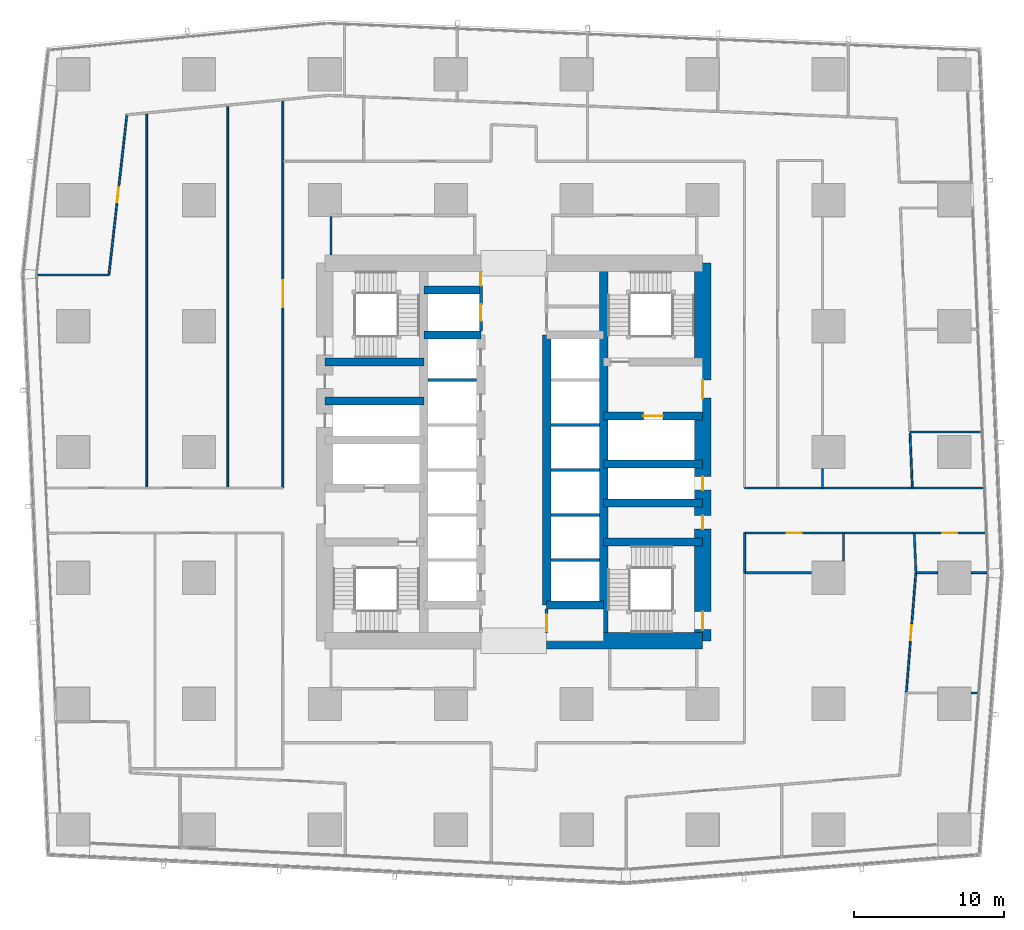
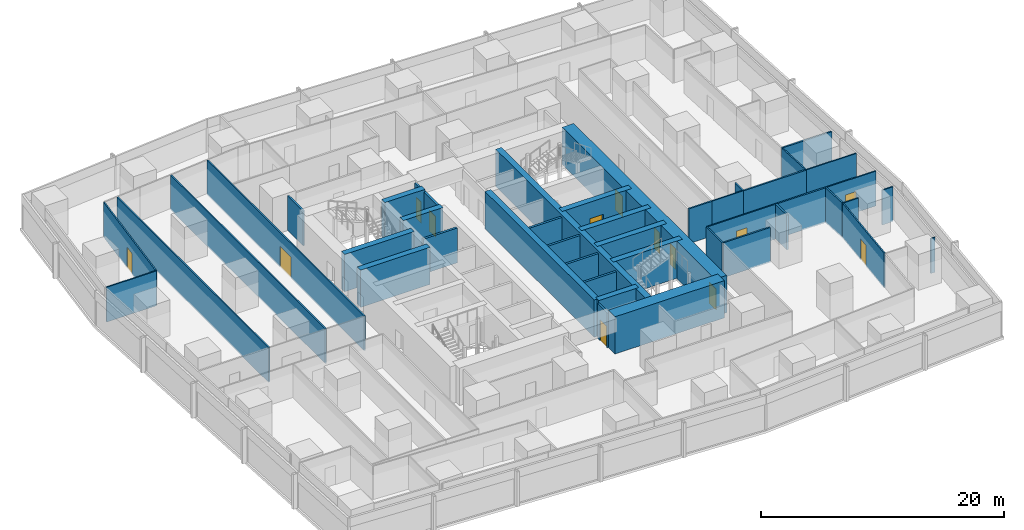
# One storey, part 33 of 44: 44 walls, 13 doors, 13 openings.
"""IFC4 building model written with IfcOpenShell, lengths in metres."""

from ifc_helpers import new_model, si_unit, direction, frame, frame_2d, origin, place, context, subcontext, project, spatial, rectangle, extrude, material, layer, layer_set, type_object, element, fill, save


model = new_model("IFC4")

# Units and contexts
model_context = context("Model", 3, precision=1e-05, world=origin(), true_north=direction((0.0, 1.0)))
body_context = subcontext(model_context, "Body", "Model", "MODEL_VIEW")
ifc_project = project(units=[si_unit("LENGTHUNIT", "METRE"), si_unit("AREAUNIT", "SQUARE_METRE"), si_unit("VOLUMEUNIT", "CUBIC_METRE"), si_unit("PLANEANGLEUNIT", "RADIAN"), si_unit("MASSUNIT", "GRAM", prefix="KILO")], contexts=[model_context])

# Site, building, storey
site_placement = place(None, origin())
site = spatial("IfcSite", under=ifc_project, at=site_placement, CompositionType="ELEMENT")
building_placement = place(site_placement, origin())
building = spatial("IfcBuilding", under=site, at=building_placement, Name="Rekha Terrace Tower", CompositionType="ELEMENT")
storey_placement = place(building_placement, frame((0.0, 0.0, 47.89990234375)))
storey = spatial("IfcBuildingStorey", under=building, at=storey_placement, Name="L11", CompositionType="ELEMENT", Elevation=47.89990234375)

# Walls
ifc_material_1 = material(Name="Concrete M70", Category="concrete")
ifc_layer_1 = layer(ifc_material_1, 0.550048828125)
ifc_layer_set_1 = layer_set([ifc_layer_1], Name="Concrete M70")
wall_type_1 = type_object("IfcWallType", Name="CI1 550 core internal shear wall", PredefinedType="SHEAR", material=ifc_layer_set_1)
wall_1_placement = place(storey_placement, frame((43.800048828125, 21.0, 0.0), z_axis=(0.0, 0.0, 1.0), x_axis=(0.0, 1.0, 0.0)))
element("IfcWall", 1, at=wall_1_placement, inside=storey, type_object=wall_type_1, Name="Core wall X438 L11", PredefinedType="SHEAR", context=body_context, shape_type="SweptSolid", body=[
    extrude(rectangle(XDim=25.199951171875, YDim=0.550048828125, at=frame_2d((12.60009765625, 0.0))), origin(), (0.0, 0.0, 1.0), 3.75),
])
wall_2_placement = place(storey_placement, frame((40.0, 23.39990234375, 0.0), z_axis=(0.0, 0.0, 1.0), x_axis=(0.0, 1.0, 0.0)))
element("IfcWall", 2, at=wall_2_placement, inside=storey, type_object=wall_type_1, Name="Core wall X400 L11", PredefinedType="SHEAR", context=body_context, shape_type="SweptSolid", body=[
    extrude(rectangle(XDim=18.0, YDim=0.550048828125, at=frame_2d((9.0, 0.0))), origin(), (0.0, 0.0, 1.0), 3.75),
])
for number, where, z_axis, x_axis, name in (
    (3, (31.800048828125, 41.39990234375, 0.0), (0.0, 0.0, 1.0), (1.0, 0.0, 0.0), "Core wall Y414W L11"),
    (4, (31.800048828125, 44.39990234375, 0.0), (0.0, 0.0, 1.0), (1.0, 0.0, 0.0), "Core wall Y444W L11"),
    (5, (40.0, 23.39990234375, 0.0), (0.0, 0.0, 1.0), (1.0, 0.0, 0.0), "Core wall Y234E L11"),
):
    element("IfcWall", number, at=place(storey_placement, frame(where, z_axis=z_axis, x_axis=x_axis)), inside=storey, type_object=wall_type_1, Name=name, PredefinedType="SHEAR", context=body_context, shape_type="SweptSolid", body=[
        extrude(rectangle(XDim=3.800048828125, YDim=0.550048828125, at=frame_2d((1.89990234375, 0.0))), origin(), (0.0, 0.0, 1.0), 3.75),
    ])
for number, where, z_axis, x_axis, name in (
    (6, (25.199951171875, 37.0, 0.0), (0.0, 0.0, 1.0), (1.0, 0.0, 0.0), "Core wall Y370W L11"),
    (7, (25.199951171875, 39.60009765625, 0.0), (0.0, 0.0, 1.0), (1.0, 0.0, 0.0), "Core wall Y396W L11"),
):
    element("IfcWall", number, at=place(storey_placement, frame(where, z_axis=z_axis, x_axis=x_axis)), inside=storey, type_object=wall_type_1, Name=name, PredefinedType="SHEAR", context=body_context, shape_type="SweptSolid", body=[
        extrude(rectangle(XDim=6.60009765625, YDim=0.550048828125, at=frame_2d((3.300048828125, 0.0))), origin(), (0.0, 0.0, 1.0), 3.75),
    ])
for number, where, z_axis, x_axis, name in (
    (8, (43.800048828125, 27.60009765625, 0.0), (0.0, 0.0, 1.0), (1.0, 0.0, 0.0), "Core wall Y276E L11"),
    (9, (43.800048828125, 30.199951171875, 0.0), (0.0, 0.0, 1.0), (1.0, 0.0, 0.0), "Core wall Y302E L11"),
    (10, (43.800048828125, 32.800048828125, 0.0), (0.0, 0.0, 1.0), (1.0, 0.0, 0.0), "Core wall Y328E L11"),
):
    element("IfcWall", number, at=place(storey_placement, frame(where, z_axis=z_axis, x_axis=x_axis)), inside=storey, type_object=wall_type_1, Name=name, PredefinedType="SHEAR", context=body_context, shape_type="SweptSolid", body=[
        extrude(rectangle(XDim=6.599853515625, YDim=0.550048828125, at=frame_2d((3.2998046875, 0.0))), origin(), (0.0, 0.0, 1.0), 3.75),
    ])

# Wall, opening, door
wall_3_placement = place(storey_placement, frame((43.800048828125, 36.0, 0.0), z_axis=(0.0, 0.0, 1.0), x_axis=(1.0, 0.0, 0.0)))
wall_3 = element("IfcWall", 11, at=wall_3_placement, inside=storey, type_object=wall_type_1, Name="Core wall Y360E L11", PredefinedType="SHEAR", context=body_context, shape_type="SweptSolid", body=[
    extrude(rectangle(XDim=6.599853515625, YDim=0.550048828125, at=frame_2d((3.2998046875, 0.0))), origin(), (0.0, 0.0, 1.0), 3.75),
])
opening_1_placement = place(wall_3_placement, frame((2.64990234375, 0.0, 0.0)))
opening_1 = element("IfcOpeningElement", 12, at=opening_1_placement, cuts=wall_3, Name="Opening LD2", PredefinedType="OPENING", context=body_context, shape_type="SweptSolid", body=[
    extrude(rectangle(XDim=1.300048828125, YDim=2.10009765625, at=frame_2d((0.64990234375, 1.050048828125))), frame((0.0, 0.284912109375, 0.0), z_axis=(0.0, -1.0, 0.0), x_axis=(1.0, 0.0, 0.0)), (0.0, 0.0, 1.0), 0.570068359375),
])
ifc_material_2 = material(Name="Stainless steel sliding landing door", Category="steel")
door_type_1 = type_object("IfcDoorType", Name="LD2 1300x2100 fire lift landing door", OperationType="SLIDING_TO_LEFT", PredefinedType="USERDEFINED", material=ifc_material_2)
door_1_placement = place(opening_1_placement, origin())
door_1 = element("IfcDoor", 13, at=door_1_placement, inside=storey, type_object=door_type_1, Name="Lift FL2 landing door L11", ObjectType="LIFT LANDING DOOR", OperationType="SLIDING_TO_LEFT", OverallHeight=2.10009765625, OverallWidth=1.300048828125, PredefinedType="USERDEFINED", context=body_context, shape_type="SweptSolid", body=[
    extrude(rectangle(XDim=1.300048828125, YDim=2.10009765625, at=frame_2d((0.64990234375, 1.050048828125))), frame((0.0, 0.02490234375, 0.0), z_axis=(0.0, -1.0, 0.0), x_axis=(1.0, 0.0, 0.0)), (0.0, 0.0, 1.0), 0.050048828125),
])
fill(opening_1, door_1)

# Wall
ifc_layer_2 = layer(ifc_material_1, 1.10009765625)
ifc_layer_set_2 = layer_set([ifc_layer_2], Name="Concrete M70")
wall_type_2 = type_object("IfcWallType", Name="SW1 1100 core outer shear wall", PredefinedType="SHEAR", material=ifc_layer_set_2)
wall_4_placement = place(storey_placement, frame((40.0, 21.0, 0.0), z_axis=(0.0, 0.0, 1.0), x_axis=(1.0, 0.0, 0.0)))
element("IfcWall", 14, at=wall_4_placement, inside=storey, type_object=wall_type_2, Name="Core wall S2 L11", PredefinedType="SHEAR", context=body_context, shape_type="SweptSolid", body=[
    extrude(rectangle(XDim=10.39990234375, YDim=1.10009765625, at=frame_2d((5.199951171875, 0.0))), origin(), (0.0, 0.0, 1.0), 3.75),
])

# Wall, openings, doors
wall_5_placement = place(storey_placement, frame((50.39990234375, 21.0, 0.0), z_axis=(0.0, 0.0, 1.0), x_axis=(0.0, 1.0, 0.0)))
wall_5 = element("IfcWall", 15, at=wall_5_placement, inside=storey, type_object=wall_type_2, Name="Core wall E L11", PredefinedType="SHEAR", context=body_context, shape_type="SweptSolid", body=[
    extrude(rectangle(XDim=25.199951171875, YDim=1.10009765625, at=frame_2d((12.60009765625, 0.0))), origin(), (0.0, 0.0, 1.0), 3.75),
])
opening_2_placement = place(wall_5_placement, frame((16.199951171875, 0.0, 0.0)))
opening_2 = element("IfcOpeningElement", 16, at=opening_2_placement, cuts=wall_5, Name="Opening D2", PredefinedType="OPENING", context=body_context, shape_type="SweptSolid", body=[
    extrude(rectangle(XDim=1.199951171875, YDim=2.10009765625, at=frame_2d((0.60009765625, 1.050048828125))), frame((0.0, 0.56005859375, 0.0), z_axis=(0.0, -1.0, 0.0), x_axis=(1.0, 0.0, 0.0)), (0.0, 0.0, 1.0), 1.1201171875),
])
opening_3_placement = place(wall_5_placement, frame((10.050048828125, 0.0, 0.0)))
opening_3 = element("IfcOpeningElement", 17, at=opening_3_placement, cuts=wall_5, Name="Opening D5", PredefinedType="OPENING", context=body_context, shape_type="SweptSolid", body=[
    extrude(rectangle(XDim=0.89990234375, YDim=2.10009765625, at=frame_2d((0.449951171875, 1.050048828125))), frame((0.0, 0.56005859375, 0.0), z_axis=(0.0, -1.0, 0.0), x_axis=(1.0, 0.0, 0.0)), (0.0, 0.0, 1.0), 1.1201171875),
])
opening_4_placement = place(wall_5_placement, frame((7.449951171875, 0.0, 0.0)))
opening_4 = element("IfcOpeningElement", 18, at=opening_4_placement, cuts=wall_5, Name="Opening D5", PredefinedType="OPENING", context=body_context, shape_type="SweptSolid", body=[
    extrude(rectangle(XDim=0.89990234375, YDim=2.10009765625, at=frame_2d((0.449951171875, 1.050048828125))), frame((0.0, 0.56005859375, 0.0), z_axis=(0.0, -1.0, 0.0), x_axis=(1.0, 0.0, 0.0)), (0.0, 0.0, 1.0), 1.1201171875),
])
opening_5_placement = place(wall_5_placement, frame((0.75, 0.0, 0.0)))
opening_5 = element("IfcOpeningElement", 19, at=opening_5_placement, cuts=wall_5, Name="Opening D1", PredefinedType="OPENING", context=body_context, shape_type="SweptSolid", body=[
    extrude(rectangle(XDim=1.199951171875, YDim=2.10009765625, at=frame_2d((0.60009765625, 1.050048828125))), frame((0.0, 0.56005859375, 0.0), z_axis=(0.0, -1.0, 0.0), x_axis=(1.0, 0.0, 0.0)), (0.0, 0.0, 1.0), 1.1201171875),
])
ifc_material_3 = material(Name="Steel fire door", Category="steel")
door_type_2 = type_object("IfcDoorType", Name="D1 1200x2100 stair fire door", OperationType="SINGLE_SWING_RIGHT", PredefinedType="DOOR", material=ifc_material_3)
door_2_placement = place(opening_5_placement, origin())
door_2 = element("IfcDoor", 20, at=door_2_placement, inside=storey, type_object=door_type_2, Name="Stair ST3 door L11", OperationType="SINGLE_SWING_RIGHT", OverallHeight=2.10009765625, OverallWidth=1.199951171875, PredefinedType="DOOR", context=body_context, shape_type="SweptSolid", body=[
    extrude(rectangle(XDim=1.199951171875, YDim=2.10009765625, at=frame_2d((0.60009765625, 1.050048828125))), frame((0.0, 0.02490234375, 0.0), z_axis=(0.0, -1.0, 0.0), x_axis=(1.0, 0.0, 0.0)), (0.0, 0.0, 1.0), 0.050048828125),
])
fill(opening_5, door_2)
door_type_3 = type_object("IfcDoorType", Name="D2 1200x2100 firefighting lobby door", OperationType="SINGLE_SWING_LEFT", PredefinedType="DOOR", material=ifc_material_3)
door_3_placement = place(opening_2_placement, origin())
door_3 = element("IfcDoor", 21, at=door_3_placement, inside=storey, type_object=door_type_3, Name="Door flb2 L11", OperationType="SINGLE_SWING_LEFT", OverallHeight=2.10009765625, OverallWidth=1.199951171875, PredefinedType="DOOR", context=body_context, shape_type="SweptSolid", body=[
    extrude(rectangle(XDim=1.199951171875, YDim=2.10009765625, at=frame_2d((0.60009765625, 1.050048828125))), frame((0.0, 0.02490234375, 0.0), z_axis=(0.0, -1.0, 0.0), x_axis=(1.0, 0.0, 0.0)), (0.0, 0.0, 1.0), 0.050048828125),
])
fill(opening_2, door_3)
door_type_4 = type_object("IfcDoorType", Name="D5 900x2100 riser access door", OperationType="SINGLE_SWING_LEFT", PredefinedType="DOOR", material=ifc_material_3)
door_4_placement = place(opening_3_placement, origin())
door_4 = element("IfcDoor", 22, at=door_4_placement, inside=storey, type_object=door_type_4, Name="Door rs2 L11", OperationType="SINGLE_SWING_LEFT", OverallHeight=2.10009765625, OverallWidth=0.89990234375, PredefinedType="DOOR", context=body_context, shape_type="SweptSolid", body=[
    extrude(rectangle(XDim=0.89990234375, YDim=2.10009765625, at=frame_2d((0.449951171875, 1.050048828125))), frame((0.0, 0.02490234375, 0.0), z_axis=(0.0, -1.0, 0.0), x_axis=(1.0, 0.0, 0.0)), (0.0, 0.0, 1.0), 0.050048828125),
])
fill(opening_3, door_4)
door_5_placement = place(opening_4_placement, origin())
door_5 = element("IfcDoor", 23, at=door_5_placement, inside=storey, type_object=door_type_4, Name="Door ele L11", OperationType="SINGLE_SWING_LEFT", OverallHeight=2.10009765625, OverallWidth=0.89990234375, PredefinedType="DOOR", context=body_context, shape_type="SweptSolid", body=[
    extrude(rectangle(XDim=0.89990234375, YDim=2.10009765625, at=frame_2d((0.449951171875, 1.050048828125))), frame((0.0, 0.02490234375, 0.0), z_axis=(0.0, -1.0, 0.0), x_axis=(1.0, 0.0, 0.0)), (0.0, 0.0, 1.0), 0.050048828125),
])
fill(opening_4, door_5)

# Walls
ifc_material_4 = material(Name="Concrete block masonry, 1 hour", Category="masonry")
ifc_layer_3 = layer(ifc_material_4, 0.14990234375)
ifc_layer_set_3 = layer_set([ifc_layer_3], Name="Concrete block masonry, 1 hour")
wall_type_3 = type_object("IfcWallType", Name="WP2 150 tenancy partition", PredefinedType="PARTITIONING", material=ifc_layer_set_3)
wall_6_placement = place(storey_placement, frame((25.60009765625, 46.75, 0.0), z_axis=(0.0, 0.0, 1.0), x_axis=(0.0, 1.0, 0.0)))
element("IfcWall", 24, at=wall_6_placement, inside=storey, type_object=wall_type_3, Name="Women's WC wall L11", PredefinedType="PARTITIONING", context=body_context, shape_type="SweptSolid", body=[
    extrude(rectangle(XDim=2.574951171875, YDim=0.14990234375, at=frame_2d((1.28759765625, 0.0))), origin(), (0.0, 0.0, 1.0), 3.5),
])
wall_7_placement = place(storey_placement, frame((53.199951171875, 25.552001953125, 0.0), z_axis=(0.0, 0.0, 1.0), x_axis=(1.0, 0.0, 0.0)))
element("IfcWall", 25, at=wall_7_placement, inside=storey, type_object=wall_type_3, Name="Partition L11-O1", PredefinedType="PARTITIONING", context=body_context, shape_type="SweptSolid", body=[
    extrude(rectangle(XDim=4.47998046875, YDim=0.14990234375, at=frame_2d((2.239990234375, 0.0))), origin(), (0.0, 0.0, 1.0), 3.5),
])
wall_8_placement = place(storey_placement, frame((59.800048828125, 26.320068359375, 0.0), z_axis=(0.0, 0.0, 1.0), x_axis=(0.0, 1.0, 0.0)))
element("IfcWall", 26, at=wall_8_placement, inside=storey, type_object=wall_type_3, Name="Partition L11-O1", PredefinedType="PARTITIONING", context=body_context, shape_type="SweptSolid", body=[
    extrude(rectangle(XDim=1.8798828125, YDim=0.14990234375, at=frame_2d((0.93994140625, 0.0))), origin(), (0.0, 0.0, 1.0), 3.5),
])
wall_9_placement = place(storey_placement, frame((59.800048828125, 28.199951171875, 0.0), z_axis=(0.0, 0.0, 1.0), x_axis=(1.0, 0.0, 0.0)))
element("IfcWall", 27, at=wall_9_placement, inside=storey, type_object=wall_type_3, Name="Partition L11-O1", PredefinedType="PARTITIONING", context=body_context, shape_type="SweptSolid", body=[
    extrude(rectangle(XDim=4.718994140625, YDim=0.14990234375, at=frame_2d((2.359375, 0.0))), origin(), (0.0, 0.0, 1.0), 3.5),
])
wall_10_placement = place(storey_placement, frame((64.51904296875, 28.199951171875, 0.0), z_axis=(0.0, 0.0, 1.0), x_axis=(0.042430609407, -0.999099416167, 0.0)))
element("IfcWall", 28, at=wall_10_placement, inside=storey, type_object=wall_type_3, Name="Partition L11-O1", PredefinedType="PARTITIONING", context=body_context, shape_type="SweptSolid", body=[
    extrude(rectangle(XDim=2.58935546875, YDim=0.14990234375, at=frame_2d((1.294677734375, 0.0))), origin(), (0.0, 0.0, 1.0), 3.5),
])
wall_11_placement = place(storey_placement, frame((64.23095703125, 34.931884765625, 0.0), z_axis=(0.0, 0.0, 1.0), x_axis=(1.0, 0.0, 0.0)))
element("IfcWall", 29, at=wall_11_placement, inside=storey, type_object=wall_type_3, Name="Partition L11-O3", PredefinedType="PARTITIONING", context=body_context, shape_type="SweptSolid", body=[
    extrude(rectangle(XDim=4.72509765625, YDim=0.14990234375, at=frame_2d((2.362548828125, 0.0))), origin(), (0.0, 0.0, 1.0), 3.5),
])
wall_12_placement = place(storey_placement, frame((64.39111328125, 31.199951171875, 0.0), z_axis=(0.0, 0.0, 1.0), x_axis=(-1.0, 0.0, 0.0)))
element("IfcWall", 30, at=wall_12_placement, inside=storey, type_object=wall_type_3, Name="Partition L11-O3", PredefinedType="PARTITIONING", context=body_context, shape_type="SweptSolid", body=[
    extrude(rectangle(XDim=5.9912109375, YDim=0.14990234375, at=frame_2d((2.99560546875, 0.0))), origin(), (0.0, 0.0, 1.0), 3.5),
])
wall_13_placement = place(storey_placement, frame((55.39990234375, 31.199951171875, 0.0), z_axis=(0.0, 0.0, 1.0), x_axis=(-1.0, 0.0, 0.0)))
element("IfcWall", 31, at=wall_13_placement, inside=storey, type_object=wall_type_3, Name="Partition L11-O3", PredefinedType="PARTITIONING", context=body_context, shape_type="SweptSolid", body=[
    extrude(rectangle(XDim=2.199951171875, YDim=0.14990234375, at=frame_2d((1.10009765625, 0.0))), origin(), (0.0, 0.0, 1.0), 3.5),
])
ifc_material_5 = material(Name="Two layers of fire-rated gypsum board each side on steel studs, acoustic quilt, 1 hour", Category="steel")
ifc_layer_4 = layer(ifc_material_5, 0.125)
ifc_layer_set_4 = layer_set([ifc_layer_4], Name="Two layers of fire-rated gypsum board each side on steel studs, acoustic quilt, 1 hour")
wall_type_4 = type_object("IfcWallType", Name="WP3 125 office partition", PredefinedType="PARTITIONING", material=ifc_layer_set_4)
wall_14_placement = place(storey_placement, frame((68.320068359375, 17.52294921875, 0.0), z_axis=(0.0, 0.0, 1.0), x_axis=(1.0, 0.0, 0.0)))
element("IfcWall", 32, at=wall_14_placement, inside=storey, type_object=wall_type_4, Name="Partition L11-03", PredefinedType="PARTITIONING", context=body_context, shape_type="SweptSolid", body=[
    extrude(rectangle(XDim=0.40283203125, YDim=0.125, at=frame_2d((0.201416015625, 0.0))), origin(), (0.0, 0.0, 1.0), 3.5),
])

# Wall, opening, door
wall_15_placement = place(storey_placement, frame((63.993896484375, 17.5849609375, 0.0), z_axis=(0.0, 0.0, 1.0), x_axis=(0.07897654499, 0.996876474465, 0.0)))
wall_15 = element("IfcWall", 33, at=wall_15_placement, inside=storey, type_object=wall_type_4, Name="Partition L11-04", PredefinedType="PARTITIONING", context=body_context, shape_type="SweptSolid", body=[
    extrude(rectangle(XDim=7.990966796875, YDim=0.125, at=frame_2d((3.99560546875, 0.0))), origin(), (0.0, 0.0, 1.0), 3.5),
])
opening_6_placement = place(wall_15_placement, frame((3.462890625, 0.0, 0.0)))
opening_6 = element("IfcOpeningElement", 34, at=opening_6_placement, cuts=wall_15, Name="Opening D9", PredefinedType="OPENING", context=body_context, shape_type="SweptSolid", body=[
    extrude(rectangle(XDim=1.0, YDim=2.10009765625, at=frame_2d((0.5, 1.050048828125))), frame((0.0, 0.072509765625, 0.0), z_axis=(0.0, -1.0, 0.0), x_axis=(1.0, 0.0, 0.0)), (0.0, 0.0, 1.0), 0.14501953125),
])
ifc_material_6 = material(Name="Timber fire door", Category="wood")
door_type_5 = type_object("IfcDoorType", Name="D9 1000x2100 office door", OperationType="SINGLE_SWING_LEFT", PredefinedType="DOOR", material=ifc_material_6)
door_6_placement = place(opening_6_placement, origin())
door_6 = element("IfcDoor", 35, at=door_6_placement, inside=storey, type_object=door_type_5, Name="Door office L11", OperationType="SINGLE_SWING_LEFT", OverallHeight=2.10009765625, OverallWidth=1.0, PredefinedType="DOOR", context=body_context, shape_type="SweptSolid", body=[
    extrude(rectangle(XDim=1.0, YDim=2.10009765625, at=frame_2d((0.5, 1.050048828125))), frame((0.0, 0.02490234375, 0.0), z_axis=(0.0, -1.0, 0.0), x_axis=(1.0, 0.0, 0.0)), (0.0, 0.0, 1.0), 0.050048828125),
])
fill(opening_6, door_6)

# Walls
wall_16_placement = place(storey_placement, frame((64.625, 25.551025390625, 0.0), z_axis=(0.0, 0.0, 1.0), x_axis=(1.0, 0.0, 0.0)))
element("IfcWall", 36, at=wall_16_placement, inside=storey, type_object=wall_type_4, Name="Partition L11-04", PredefinedType="PARTITIONING", context=body_context, shape_type="SweptSolid", body=[
    extrude(rectangle(XDim=1.455078125, YDim=0.125, at=frame_2d((0.7275390625, 0.0))), origin(), (0.0, 0.0, 1.0), 3.5),
])
wall_17_placement = place(storey_placement, frame((68.320068359375, 25.551025390625, 0.0), z_axis=(0.0, 0.0, 1.0), x_axis=(1.0, 0.0, 0.0)))
element("IfcWall", 37, at=wall_17_placement, inside=storey, type_object=wall_type_4, Name="Partition L11-04", PredefinedType="PARTITIONING", context=body_context, shape_type="SweptSolid", body=[
    extrude(rectangle(XDim=1.036865234375, YDim=0.125, at=frame_2d((0.5185546875, 0.0))), origin(), (0.0, 0.0, 1.0), 3.5),
])

# Wall, opening, door
wall_18_placement = place(storey_placement, frame((64.51904296875, 28.199951171875, 0.0), z_axis=(0.0, 0.0, 1.0), x_axis=(1.0, 0.0, 0.0)))
wall_18 = element("IfcWall", 38, at=wall_18_placement, inside=storey, type_object=wall_type_4, Name="Partition L11-05", PredefinedType="PARTITIONING", context=body_context, shape_type="SweptSolid", body=[
    extrude(rectangle(XDim=4.7548828125, YDim=0.125, at=frame_2d((2.37744140625, 0.0))), origin(), (0.0, 0.0, 1.0), 3.5),
])
opening_7_placement = place(wall_18_placement, frame((1.862060546875, 0.0, 0.0)))
opening_7 = element("IfcOpeningElement", 39, at=opening_7_placement, cuts=wall_18, Name="Opening D9", PredefinedType="OPENING", context=body_context, shape_type="SweptSolid", body=[
    extrude(rectangle(XDim=1.0, YDim=2.10009765625, at=frame_2d((0.5, 1.050048828125))), frame((0.0, 0.072509765625, 0.0), z_axis=(0.0, -1.0, 0.0), x_axis=(1.0, 0.0, 0.0)), (0.0, 0.0, 1.0), 0.14501953125),
])
door_7_placement = place(opening_7_placement, origin())
door_7 = element("IfcDoor", 40, at=door_7_placement, inside=storey, type_object=door_type_5, Name="Door office L11", OperationType="SINGLE_SWING_LEFT", OverallHeight=2.10009765625, OverallWidth=1.0, PredefinedType="DOOR", context=body_context, shape_type="SweptSolid", body=[
    extrude(rectangle(XDim=1.0, YDim=2.10009765625, at=frame_2d((0.5, 1.050048828125))), frame((0.0, 0.02490234375, 0.0), z_axis=(0.0, -1.0, 0.0), x_axis=(1.0, 0.0, 0.0)), (0.0, 0.0, 1.0), 0.050048828125),
])
fill(opening_7, door_7)

wall_19_placement = place(storey_placement, frame((53.199951171875, 28.199951171875, 0.0), z_axis=(0.0, 0.0, 1.0), x_axis=(1.0, 0.0, 0.0)))
wall_19 = element("IfcWall", 41, at=wall_19_placement, inside=storey, type_object=wall_type_4, Name="Partition L11-06", PredefinedType="PARTITIONING", context=body_context, shape_type="SweptSolid", body=[
    extrude(rectangle(XDim=6.60009765625, YDim=0.125, at=frame_2d((3.300048828125, 0.0))), origin(), (0.0, 0.0, 1.0), 3.5),
])
opening_8_placement = place(wall_19_placement, frame((2.800048828125, 0.0, 0.0)))
opening_8 = element("IfcOpeningElement", 42, at=opening_8_placement, cuts=wall_19, Name="Opening D9", PredefinedType="OPENING", context=body_context, shape_type="SweptSolid", body=[
    extrude(rectangle(XDim=1.0, YDim=2.10009765625, at=frame_2d((0.5, 1.050048828125))), frame((0.0, 0.072509765625, 0.0), z_axis=(0.0, -1.0, 0.0), x_axis=(1.0, 0.0, 0.0)), (0.0, 0.0, 1.0), 0.14501953125),
])
door_8_placement = place(opening_8_placement, origin())
door_8 = element("IfcDoor", 43, at=door_8_placement, inside=storey, type_object=door_type_5, Name="Door reception L11", OperationType="SINGLE_SWING_LEFT", OverallHeight=2.10009765625, OverallWidth=1.0, PredefinedType="DOOR", context=body_context, shape_type="SweptSolid", body=[
    extrude(rectangle(XDim=1.0, YDim=2.10009765625, at=frame_2d((0.5, 1.050048828125))), frame((0.0, 0.02490234375, 0.0), z_axis=(0.0, -1.0, 0.0), x_axis=(1.0, 0.0, 0.0)), (0.0, 0.0, 1.0), 0.050048828125),
])
fill(opening_8, door_8)

# Walls
wall_20_placement = place(storey_placement, frame((53.199951171875, 25.552001953125, 0.0), z_axis=(0.0, 0.0, 1.0), x_axis=(0.0, 1.0, 0.0)))
element("IfcWall", 44, at=wall_20_placement, inside=storey, type_object=wall_type_4, Name="Partition L11-06", PredefinedType="PARTITIONING", context=body_context, shape_type="SweptSolid", body=[
    extrude(rectangle(XDim=2.64794921875, YDim=0.125, at=frame_2d((1.323974609375, 0.0))), origin(), (0.0, 0.0, 1.0), 3.5),
])
wall_21_placement = place(storey_placement, frame((69.14501953125, 31.199951171875, 0.0), z_axis=(0.0, 0.0, 1.0), x_axis=(-1.0, 0.0, 0.0)))
element("IfcWall", 45, at=wall_21_placement, inside=storey, type_object=wall_type_4, Name="Partition L11-07", PredefinedType="PARTITIONING", context=body_context, shape_type="SweptSolid", body=[
    extrude(rectangle(XDim=4.75390625, YDim=0.125, at=frame_2d((2.376953125, 0.0))), origin(), (0.0, 0.0, 1.0), 3.5),
])
wall_22_placement = place(storey_placement, frame((64.39111328125, 31.199951171875, 0.0), z_axis=(0.0, 0.0, 1.0), x_axis=(-0.042620959322, 0.999091314058, 0.0)))
element("IfcWall", 46, at=wall_22_placement, inside=storey, type_object=wall_type_4, Name="Partition L11-07", PredefinedType="PARTITIONING", context=body_context, shape_type="SweptSolid", body=[
    extrude(rectangle(XDim=3.660400390625, YDim=0.125, at=frame_2d((1.830078125, 0.0))), origin(), (0.0, 0.0, 1.0), 3.5),
])
wall_23_placement = place(storey_placement, frame((58.39990234375, 32.47998046875, 0.0), z_axis=(0.0, 0.0, 1.0), x_axis=(0.0, -1.0, 0.0)))
element("IfcWall", 47, at=wall_23_placement, inside=storey, type_object=wall_type_4, Name="Partition L11-12", PredefinedType="PARTITIONING", context=body_context, shape_type="SweptSolid", body=[
    extrude(rectangle(XDim=1.280029296875, YDim=0.125, at=frame_2d((0.64013671875, 0.0))), origin(), (0.0, 0.0, 1.0), 3.5),
])
wall_24_placement = place(storey_placement, frame((58.39990234375, 31.199951171875, 0.0), z_axis=(0.0, 0.0, 1.0), x_axis=(-1.0, 0.0, 0.0)))
element("IfcWall", 48, at=wall_24_placement, inside=storey, type_object=wall_type_4, Name="Partition L11-12", PredefinedType="PARTITIONING", context=body_context, shape_type="SweptSolid", body=[
    extrude(rectangle(XDim=3.0, YDim=0.125, at=frame_2d((1.5, 0.0))), origin(), (0.0, 0.0, 1.0), 3.5),
])

# Wall, opening, door
wall_25_placement = place(storey_placement, frame((11.989990234375, 56.095947265625, 0.0), z_axis=(0.0, 0.0, 1.0), x_axis=(-0.111612849984, -0.993751765643, 0.0)))
wall_25 = element("IfcWall", 49, at=wall_25_placement, inside=storey, type_object=wall_type_4, Name="Partition L11-16", PredefinedType="PARTITIONING", context=body_context, shape_type="SweptSolid", body=[
    extrude(rectangle(XDim=10.7509765625, YDim=0.125, at=frame_2d((5.37548828125, 0.0))), origin(), (0.0, 0.0, 1.0), 3.5),
])
opening_9_placement = place(wall_25_placement, frame((4.8759765625, 0.0, 0.0)))
opening_9 = element("IfcOpeningElement", 50, at=opening_9_placement, cuts=wall_25, Name="Opening D9", PredefinedType="OPENING", context=body_context, shape_type="SweptSolid", body=[
    extrude(rectangle(XDim=1.0, YDim=2.10009765625, at=frame_2d((0.5, 1.050048828125))), frame((0.0, 0.072509765625, 0.0), z_axis=(0.0, -1.0, 0.0), x_axis=(1.0, 0.0, 0.0)), (0.0, 0.0, 1.0), 0.14501953125),
])
door_9_placement = place(opening_9_placement, origin())
door_9 = element("IfcDoor", 51, at=door_9_placement, inside=storey, type_object=door_type_5, Name="Door director's office L11", OperationType="SINGLE_SWING_LEFT", OverallHeight=2.10009765625, OverallWidth=1.0, PredefinedType="DOOR", context=body_context, shape_type="SweptSolid", body=[
    extrude(rectangle(XDim=1.0, YDim=2.10009765625, at=frame_2d((0.5, 1.050048828125))), frame((0.0, 0.02490234375, 0.0), z_axis=(0.0, -1.0, 0.0), x_axis=(1.0, 0.0, 0.0)), (0.0, 0.0, 1.0), 0.050048828125),
])
fill(opening_9, door_9)

# Walls
wall_26_placement = place(storey_placement, frame((10.7900390625, 45.412109375, 0.0), z_axis=(0.0, 0.0, 1.0), x_axis=(-1.0, 0.0, 0.0)))
element("IfcWall", 52, at=wall_26_placement, inside=storey, type_object=wall_type_4, Name="Partition L11-16", PredefinedType="PARTITIONING", context=body_context, shape_type="SweptSolid", body=[
    extrude(rectangle(XDim=4.74609375, YDim=0.125, at=frame_2d((2.373046875, 0.0))), origin(), (0.0, 0.0, 1.0), 3.5),
])
wall_27_placement = place(storey_placement, frame((18.717041015625, 56.679931640625, 0.0), z_axis=(0.0, 0.0, 1.0), x_axis=(0.0, -1.0, 0.0)))
element("IfcWall", 53, at=wall_27_placement, inside=storey, type_object=wall_type_4, Name="Partition L11-17", PredefinedType="PARTITIONING", context=body_context, shape_type="SweptSolid", body=[
    extrude(rectangle(XDim=25.47998046875, YDim=0.125, at=frame_2d((12.739990234375, 0.0))), origin(), (0.0, 0.0, 1.0), 3.5),
])
wall_28_placement = place(storey_placement, frame((13.31689453125, 31.199951171875, 0.0), z_axis=(0.0, 0.0, 1.0), x_axis=(0.0, 1.0, 0.0)))
element("IfcWall", 54, at=wall_28_placement, inside=storey, type_object=wall_type_4, Name="Partition L11-17", PredefinedType="PARTITIONING", context=body_context, shape_type="SweptSolid", body=[
    extrude(rectangle(XDim=24.9609375, YDim=0.125, at=frame_2d((12.48046875, 0.0))), origin(), (0.0, 0.0, 1.0), 3.5),
])

# Wall, opening, door
wall_29_placement = place(storey_placement, frame((22.39990234375, 57.033935546875, 0.0), z_axis=(0.0, 0.0, 1.0), x_axis=(0.0, -1.0, 0.0)))
wall_29 = element("IfcWall", 55, at=wall_29_placement, inside=storey, type_object=wall_type_4, Name="Partition L11-18", PredefinedType="PARTITIONING", context=body_context, shape_type="SweptSolid", body=[
    extrude(rectangle(XDim=25.833984375, YDim=0.125, at=frame_2d((12.9169921875, 0.0))), origin(), (0.0, 0.0, 1.0), 3.5),
])
opening_10_placement = place(wall_29_placement, frame((11.986083984375, 0.0, 0.0)))
opening_10 = element("IfcOpeningElement", 56, at=opening_10_placement, cuts=wall_29, Name="Opening D8", PredefinedType="OPENING", context=body_context, shape_type="SweptSolid", body=[
    extrude(rectangle(XDim=1.800048828125, YDim=2.10009765625, at=frame_2d((0.89990234375, 1.050048828125))), frame((0.0, 0.072509765625, 0.0), z_axis=(0.0, -1.0, 0.0), x_axis=(1.0, 0.0, 0.0)), (0.0, 0.0, 1.0), 0.14501953125),
])
door_type_6 = type_object("IfcDoorType", Name="D8 1800x2100 double leaf door", OperationType="DOUBLE_DOOR_SINGLE_SWING", PredefinedType="DOOR", material=ifc_material_6)
door_10_placement = place(opening_10_placement, origin())
door_10 = element("IfcDoor", 57, at=door_10_placement, inside=storey, type_object=door_type_6, Name="Door focus room L11", OperationType="DOUBLE_DOOR_SINGLE_SWING", OverallHeight=2.10009765625, OverallWidth=1.800048828125, PredefinedType="DOOR", context=body_context, shape_type="SweptSolid", body=[
    extrude(rectangle(XDim=1.800048828125, YDim=2.10009765625, at=frame_2d((0.89990234375, 1.050048828125))), frame((0.0, 0.02490234375, 0.0), z_axis=(0.0, -1.0, 0.0), x_axis=(1.0, 0.0, 0.0)), (0.0, 0.0, 1.0), 0.050048828125),
])
fill(opening_10, door_10)

# Walls
ifc_material_7 = material(Name="Solid concrete block masonry, 2 hour", Category="masonry")
ifc_layer_5 = layer(ifc_material_7, 0.199951171875)
ifc_layer_set_5 = layer_set([ifc_layer_5], Name="Solid concrete block masonry, 2 hour")
wall_type_5 = type_object("IfcWallType", Name="WS1 200 stair and shaft enclosure", PredefinedType="PARTITIONING", material=ifc_layer_set_5)
for number, where, z_axis, x_axis, name in (
    (58, (32.074951171875, 38.39990234375, 0.0), (0.0, 0.0, 1.0), (1.0, 0.0, 0.0), "Lift shaft divider L11"),
    (59, (40.27490234375, 26.39990234375, 0.0), (0.0, 0.0, 1.0), (1.0, 0.0, 0.0), "Lift shaft divider L11"),
    (60, (40.27490234375, 29.39990234375, 0.0), (0.0, 0.0, 1.0), (1.0, 0.0, 0.0), "Lift shaft divider L11"),
    (61, (40.27490234375, 32.39990234375, 0.0), (0.0, 0.0, 1.0), (1.0, 0.0, 0.0), "Lift shaft divider L11"),
    (62, (40.27490234375, 35.39990234375, 0.0), (0.0, 0.0, 1.0), (1.0, 0.0, 0.0), "Lift shaft divider L11"),
):
    element("IfcWall", number, at=place(storey_placement, frame(where, z_axis=z_axis, x_axis=x_axis)), inside=storey, type_object=wall_type_5, Name=name, PredefinedType="PARTITIONING", context=body_context, shape_type="SweptSolid", body=[
        extrude(rectangle(XDim=3.25, YDim=0.199951171875, at=frame_2d((1.625, 0.0))), origin(), (0.0, 0.0, 1.0), 3.5),
    ])

# Wall, opening, door
wall_30_placement = place(storey_placement, frame((40.0, 21.550048828125, 0.0), z_axis=(0.0, 0.0, 1.0), x_axis=(0.0, 1.0, 0.0)))
wall_30 = element("IfcWall", 63, at=wall_30_placement, inside=storey, type_object=wall_type_5, Name="Core partition wca L11", PredefinedType="PARTITIONING", context=body_context, shape_type="SweptSolid", body=[
    extrude(rectangle(XDim=1.574951171875, YDim=0.199951171875, at=frame_2d((0.78759765625, 0.0))), origin(), (0.0, 0.0, 1.0), 3.5),
])
opening_11_placement = place(wall_30_placement, frame((0.10009765625, 0.0, 0.0)))
opening_11 = element("IfcOpeningElement", 64, at=opening_11_placement, cuts=wall_30, Name="Opening D4", PredefinedType="OPENING", context=body_context, shape_type="SweptSolid", body=[
    extrude(rectangle(XDim=1.10009765625, YDim=2.10009765625, at=frame_2d((0.550048828125, 1.050048828125))), frame((0.0, 0.10986328125, 0.0), z_axis=(0.0, -1.0, 0.0), x_axis=(1.0, 0.0, 0.0)), (0.0, 0.0, 1.0), 0.219970703125),
])
ifc_material_8 = material(Name="Laminated timber fire door", Category="wood")
door_type_7 = type_object("IfcDoorType", Name="D4 1100x2100 accessible WC door", OperationType="SLIDING_TO_LEFT", PredefinedType="DOOR", material=ifc_material_8)
door_11_placement = place(opening_11_placement, origin())
door_11 = element("IfcDoor", 65, at=door_11_placement, inside=storey, type_object=door_type_7, Name="Door wca L11", OperationType="SLIDING_TO_LEFT", OverallHeight=2.10009765625, OverallWidth=1.10009765625, PredefinedType="DOOR", context=body_context, shape_type="SweptSolid", body=[
    extrude(rectangle(XDim=1.10009765625, YDim=2.10009765625, at=frame_2d((0.550048828125, 1.050048828125))), frame((0.0, 0.02490234375, 0.0), z_axis=(0.0, -1.0, 0.0), x_axis=(1.0, 0.0, 0.0)), (0.0, 0.0, 1.0), 0.050048828125),
])
fill(opening_11, door_11)

# Wall, openings, doors
wall_31_placement = place(storey_placement, frame((35.60009765625, 41.675048828125, 0.0), z_axis=(0.0, 0.0, 1.0), x_axis=(0.0, 1.0, 0.0)))
wall_31 = element("IfcWall", 66, at=wall_31_placement, inside=storey, type_object=wall_type_5, Name="Core partition jansv L11", PredefinedType="PARTITIONING", context=body_context, shape_type="SweptSolid", body=[
    extrude(rectangle(XDim=3.974853515625, YDim=0.199951171875, at=frame_2d((1.9873046875, 0.0))), origin(), (0.0, 0.0, 1.0), 3.5),
])
opening_12_placement = place(wall_31_placement, frame((3.02490234375, 0.0, 0.0)))
opening_12 = element("IfcOpeningElement", 67, at=opening_12_placement, cuts=wall_31, Name="Opening D5", PredefinedType="OPENING", context=body_context, shape_type="SweptSolid", body=[
    extrude(rectangle(XDim=0.89990234375, YDim=2.10009765625, at=frame_2d((0.449951171875, 1.050048828125))), frame((0.0, 0.10986328125, 0.0), z_axis=(0.0, -1.0, 0.0), x_axis=(1.0, 0.0, 0.0)), (0.0, 0.0, 1.0), 0.219970703125),
])
opening_13_placement = place(wall_31_placement, frame((0.675048828125, 0.0, 0.0)))
opening_13 = element("IfcOpeningElement", 68, at=opening_13_placement, cuts=wall_31, Name="Opening LD1", PredefinedType="OPENING", context=body_context, shape_type="SweptSolid", body=[
    extrude(rectangle(XDim=1.10009765625, YDim=2.10009765625, at=frame_2d((0.550048828125, 1.050048828125))), frame((0.0, 0.10986328125, 0.0), z_axis=(0.0, -1.0, 0.0), x_axis=(1.0, 0.0, 0.0)), (0.0, 0.0, 1.0), 0.219970703125),
])
door_12_placement = place(opening_12_placement, origin())
door_12 = element("IfcDoor", 69, at=door_12_placement, inside=storey, type_object=door_type_4, Name="Door janitor room L11", OperationType="SINGLE_SWING_LEFT", OverallHeight=2.10009765625, OverallWidth=0.89990234375, PredefinedType="DOOR", context=body_context, shape_type="SweptSolid", body=[
    extrude(rectangle(XDim=0.89990234375, YDim=2.10009765625, at=frame_2d((0.449951171875, 1.050048828125))), frame((0.0, 0.02490234375, 0.0), z_axis=(0.0, -1.0, 0.0), x_axis=(1.0, 0.0, 0.0)), (0.0, 0.0, 1.0), 0.050048828125),
])
fill(opening_12, door_12)
door_type_8 = type_object("IfcDoorType", Name="LD1 1100x2100 lift landing door", OperationType="SLIDING_TO_LEFT", PredefinedType="USERDEFINED", material=ifc_material_2)
door_13_placement = place(opening_13_placement, origin())
door_13 = element("IfcDoor", 70, at=door_13_placement, inside=storey, type_object=door_type_8, Name="Lift SV1 landing door L11", ObjectType="LIFT LANDING DOOR", OperationType="SLIDING_TO_LEFT", OverallHeight=2.10009765625, OverallWidth=1.10009765625, PredefinedType="USERDEFINED", context=body_context, shape_type="SweptSolid", body=[
    extrude(rectangle(XDim=1.10009765625, YDim=2.10009765625, at=frame_2d((0.550048828125, 1.050048828125))), frame((0.0, 0.02490234375, 0.0), z_axis=(0.0, -1.0, 0.0), x_axis=(1.0, 0.0, 0.0)), (0.0, 0.0, 1.0), 0.050048828125),
])
fill(opening_13, door_13)

save(model, "model.ifc")
